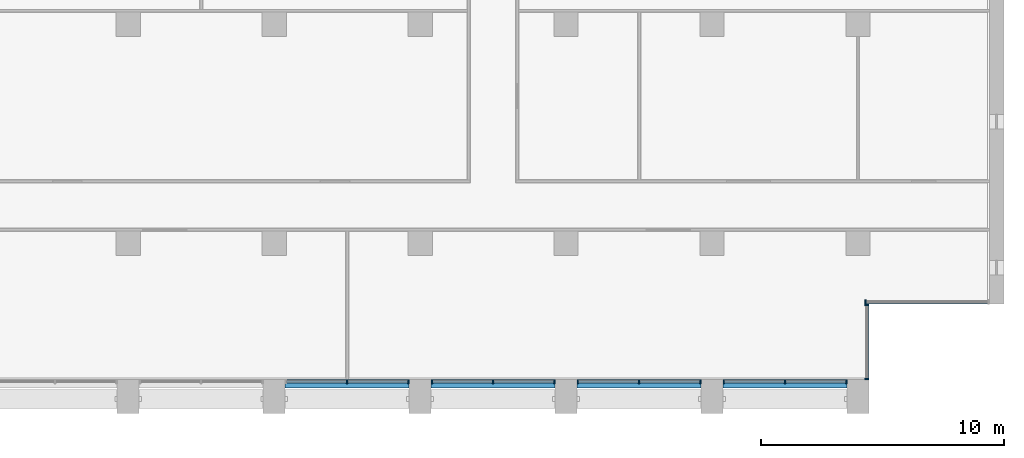
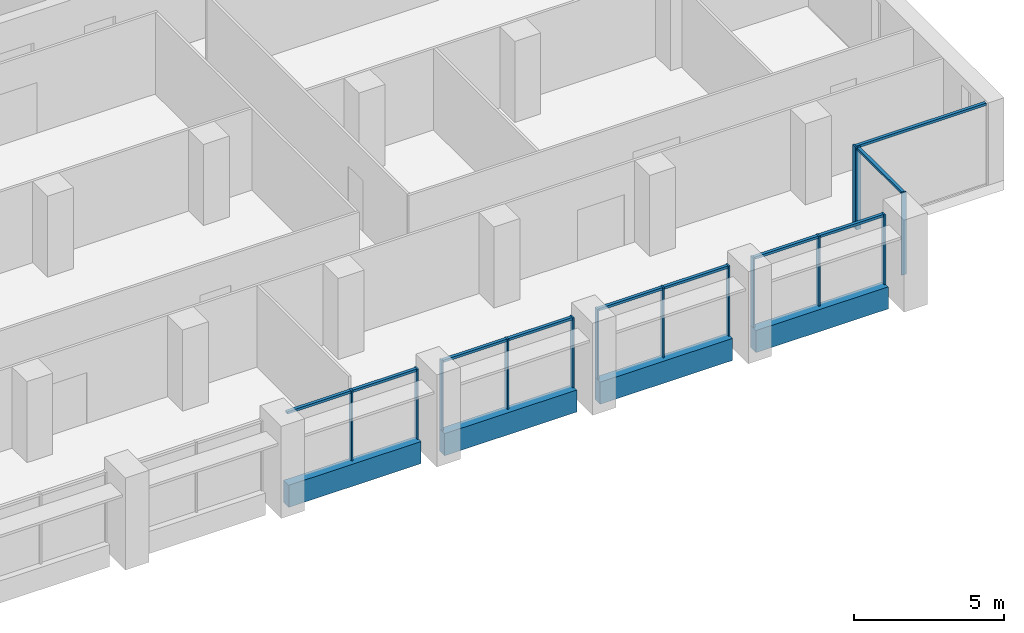
# One storey, part 3 of 17: 24 members, 4 beams, 6 elements without a shape of their own.
"""IFC4 building model written with IfcOpenShell, lengths in metres."""

from ifc_helpers import new_model, si_unit, direction, frame, origin, origin_2d, place, context, subcontext, project, spatial, rectangle, extrude, material, material_profile, profile_set, type_object, element, aggregate, save


model = new_model("IFC4")

# Units and contexts
model_context = context("Model", 3, precision=1e-05, world=origin(), true_north=direction((0.0, 1.0)))
body_context = subcontext(model_context, "Body", "Model", "MODEL_VIEW")
ifc_project = project(units=[si_unit("LENGTHUNIT", "METRE"), si_unit("AREAUNIT", "SQUARE_METRE"), si_unit("VOLUMEUNIT", "CUBIC_METRE"), si_unit("PLANEANGLEUNIT", "RADIAN"), si_unit("MASSUNIT", "GRAM", prefix="KILO")], contexts=[model_context])

# Site, building, storey
site_placement = place(None, origin())
site = spatial("IfcSite", under=ifc_project, at=site_placement, CompositionType="ELEMENT")
building_placement = place(site_placement, origin())
building = spatial("IfcBuilding", under=site, at=building_placement, Name="Calvaro Tower", CompositionType="ELEMENT")
storey_placement = place(building_placement, frame((0.0, 0.0, 219.25)))
storey = spatial("IfcBuildingStorey", under=building, at=storey_placement, Name="L55", CompositionType="ELEMENT", Elevation=219.25)

# Curtain wall, members
ifc_material_1 = material(Name="Anodised aluminium", Category="aluminium")
curtain_wall_type = type_object("IfcCurtainWallType", Name="Office curtain wall, upper zone", PredefinedType="NOTDEFINED", material=ifc_material_1)
curtain_wall_1_placement = place(storey_placement, origin())
curtain_wall_1 = element("IfcCurtainWall", 1, at=curtain_wall_1_placement, inside=storey, type_object=curtain_wall_type, Name="CW3 south curtain wall", PredefinedType="NOTDEFINED")
ifc_material_2 = material(Name="Anodised aluminium", Category="aluminium")
ifc_material_profile_1 = material_profile(ifc_material_2, rectangle(XDim=0.179931640625, YDim=0.06005859375, at=origin_2d()), Name="Mullion S3 60 x 180")
ifc_profile_set_1 = profile_set([ifc_material_profile_1], Name="Anodised aluminium")
member_type_1 = type_object("IfcMemberType", Name="Mullion S3 60 x 180", PredefinedType="MULLION", material=ifc_profile_set_1)
member_1_placement = place(storey_placement, frame((45.0, 4.31005859375, 0.0), z_axis=(0.0, 0.0, 1.0), x_axis=(0.0, 1.0, 0.0)))
member_1 = element("IfcMember", 2, at=member_1_placement, type_object=member_type_1, Name="CW3 mullion 2", PredefinedType="MULLION", context=body_context, shape_type="SweptSolid", body=[
    extrude(rectangle(XDim=0.179931640625, YDim=0.06005859375, at=origin_2d()), origin(), (0.0, 0.0, 1.0), 2.85009765625),
])
member_2_placement = place(storey_placement, frame((47.52001953125, 4.31005859375, 0.0), z_axis=(0.0, 0.0, 1.0), x_axis=(0.0, 1.0, 0.0)))
member_2 = element("IfcMember", 3, at=member_2_placement, type_object=member_type_1, Name="CW3 mullion 3", PredefinedType="MULLION", context=body_context, shape_type="SweptSolid", body=[
    extrude(rectangle(XDim=0.179931640625, YDim=0.06005859375, at=origin_2d()), origin(), (0.0, 0.0, 1.0), 2.85009765625),
])

curtain_wall_2_placement = place(storey_placement, origin())
curtain_wall_2 = element("IfcCurtainWall", 4, at=curtain_wall_2_placement, inside=storey, type_object=curtain_wall_type, Name="CW3 south curtain wall", PredefinedType="NOTDEFINED")
member_3_placement = place(storey_placement, frame((48.47998046875, 4.31005859375, 0.0), z_axis=(0.0, 0.0, 1.0), x_axis=(0.0, 1.0, 0.0)))
member_3 = element("IfcMember", 5, at=member_3_placement, type_object=member_type_1, Name="CW3 mullion 1", PredefinedType="MULLION", context=body_context, shape_type="SweptSolid", body=[
    extrude(rectangle(XDim=0.179931640625, YDim=0.06005859375, at=origin_2d()), origin(), (0.0, 0.0, 1.0), 2.85009765625),
])
member_4_placement = place(storey_placement, frame((51.0, 4.31005859375, 0.0), z_axis=(0.0, 0.0, 1.0), x_axis=(0.0, 1.0, 0.0)))
member_4 = element("IfcMember", 6, at=member_4_placement, type_object=member_type_1, Name="CW3 mullion 2", PredefinedType="MULLION", context=body_context, shape_type="SweptSolid", body=[
    extrude(rectangle(XDim=0.179931640625, YDim=0.06005859375, at=origin_2d()), origin(), (0.0, 0.0, 1.0), 2.85009765625),
])
member_5_placement = place(storey_placement, frame((53.52001953125, 4.31005859375, 0.0), z_axis=(0.0, 0.0, 1.0), x_axis=(0.0, 1.0, 0.0)))
member_5 = element("IfcMember", 7, at=member_5_placement, type_object=member_type_1, Name="CW3 mullion 3", PredefinedType="MULLION", context=body_context, shape_type="SweptSolid", body=[
    extrude(rectangle(XDim=0.179931640625, YDim=0.06005859375, at=origin_2d()), origin(), (0.0, 0.0, 1.0), 2.85009765625),
])

curtain_wall_3_placement = place(storey_placement, origin())
curtain_wall_3 = element("IfcCurtainWall", 8, at=curtain_wall_3_placement, inside=storey, type_object=curtain_wall_type, Name="CW3 south curtain wall", PredefinedType="NOTDEFINED")
member_6_placement = place(storey_placement, frame((54.47998046875, 4.31005859375, 0.0), z_axis=(0.0, 0.0, 1.0), x_axis=(0.0, 1.0, 0.0)))
member_6 = element("IfcMember", 9, at=member_6_placement, type_object=member_type_1, Name="CW3 mullion 1", PredefinedType="MULLION", context=body_context, shape_type="SweptSolid", body=[
    extrude(rectangle(XDim=0.179931640625, YDim=0.06005859375, at=origin_2d()), origin(), (0.0, 0.0, 1.0), 2.85009765625),
])
member_7_placement = place(storey_placement, frame((57.0, 4.31005859375, 0.0), z_axis=(0.0, 0.0, 1.0), x_axis=(0.0, 1.0, 0.0)))
member_7 = element("IfcMember", 10, at=member_7_placement, type_object=member_type_1, Name="CW3 mullion 2", PredefinedType="MULLION", context=body_context, shape_type="SweptSolid", body=[
    extrude(rectangle(XDim=0.179931640625, YDim=0.06005859375, at=origin_2d()), origin(), (0.0, 0.0, 1.0), 2.85009765625),
])
member_8_placement = place(storey_placement, frame((59.52001953125, 4.31005859375, 0.0), z_axis=(0.0, 0.0, 1.0), x_axis=(0.0, 1.0, 0.0)))
member_8 = element("IfcMember", 11, at=member_8_placement, type_object=member_type_1, Name="CW3 mullion 3", PredefinedType="MULLION", context=body_context, shape_type="SweptSolid", body=[
    extrude(rectangle(XDim=0.179931640625, YDim=0.06005859375, at=origin_2d()), origin(), (0.0, 0.0, 1.0), 2.85009765625),
])

curtain_wall_4_placement = place(storey_placement, origin())
curtain_wall_4 = element("IfcCurtainWall", 12, at=curtain_wall_4_placement, inside=storey, type_object=curtain_wall_type, Name="CW3 south curtain wall", PredefinedType="NOTDEFINED")
member_9_placement = place(storey_placement, frame((60.47998046875, 4.31005859375, 0.0), z_axis=(0.0, 0.0, 1.0), x_axis=(0.0, 1.0, 0.0)))
member_9 = element("IfcMember", 13, at=member_9_placement, type_object=member_type_1, Name="CW3 mullion 1", PredefinedType="MULLION", context=body_context, shape_type="SweptSolid", body=[
    extrude(rectangle(XDim=0.179931640625, YDim=0.06005859375, at=origin_2d()), origin(), (0.0, 0.0, 1.0), 2.85009765625),
])
member_10_placement = place(storey_placement, frame((63.0, 4.31005859375, 0.0), z_axis=(0.0, 0.0, 1.0), x_axis=(0.0, 1.0, 0.0)))
member_10 = element("IfcMember", 14, at=member_10_placement, type_object=member_type_1, Name="CW3 mullion 2", PredefinedType="MULLION", context=body_context, shape_type="SweptSolid", body=[
    extrude(rectangle(XDim=0.179931640625, YDim=0.06005859375, at=origin_2d()), origin(), (0.0, 0.0, 1.0), 2.85009765625),
])
member_11_placement = place(storey_placement, frame((65.52001953125, 4.31005859375, 0.0), z_axis=(0.0, 0.0, 1.0), x_axis=(0.0, 1.0, 0.0)))
member_11 = element("IfcMember", 15, at=member_11_placement, type_object=member_type_1, Name="CW3 mullion 3", PredefinedType="MULLION", context=body_context, shape_type="SweptSolid", body=[
    extrude(rectangle(XDim=0.179931640625, YDim=0.06005859375, at=origin_2d()), origin(), (0.0, 0.0, 1.0), 2.85009765625),
])

curtain_wall_5_placement = place(storey_placement, origin())
curtain_wall_5 = element("IfcCurtainWall", 16, at=curtain_wall_5_placement, inside=storey, type_object=curtain_wall_type, Name="CW3 corner curtain wall", PredefinedType="NOTDEFINED")
member_12_placement = place(storey_placement, frame((66.360107421875, 4.429931640625, 0.0), z_axis=(0.0, 0.0, 1.0), x_axis=(-1.0, 0.0, 0.0)))
member_12 = element("IfcMember", 17, at=member_12_placement, type_object=member_type_1, Name="CW3 mullion 1", PredefinedType="MULLION", context=body_context, shape_type="SweptSolid", body=[
    extrude(rectangle(XDim=0.179931640625, YDim=0.06005859375, at=origin_2d()), origin(), (0.0, 0.0, 1.0), 3.35009765625),
])
member_13_placement = place(storey_placement, frame((66.360107421875, 7.469970703125, 0.0), z_axis=(0.0, 0.0, 1.0), x_axis=(-1.0, 0.0, 0.0)))
member_13 = element("IfcMember", 18, at=member_13_placement, type_object=member_type_1, Name="CW3 mullion 2", PredefinedType="MULLION", context=body_context, shape_type="SweptSolid", body=[
    extrude(rectangle(XDim=0.179931640625, YDim=0.06005859375, at=origin_2d()), origin(), (0.0, 0.0, 1.0), 3.35009765625),
])

# Curtain wall, member
curtain_wall_6_placement = place(storey_placement, origin())
curtain_wall_6 = element("IfcCurtainWall", 19, at=curtain_wall_6_placement, inside=storey, type_object=curtain_wall_type, Name="CW3 corner curtain wall", PredefinedType="NOTDEFINED")
member_14_placement = place(storey_placement, frame((66.300048828125, 7.590087890625, 0.0), z_axis=(0.0, 0.0, 1.0), x_axis=(0.0, 1.0, 0.0)))
member_14 = element("IfcMember", 20, at=member_14_placement, type_object=member_type_1, Name="CW3 mullion 1", PredefinedType="MULLION", context=body_context, shape_type="SweptSolid", body=[
    extrude(rectangle(XDim=0.179931640625, YDim=0.06005859375, at=origin_2d()), origin(), (0.0, 0.0, 1.0), 3.35009765625),
])

# Beams
ifc_material_3 = material(Name="Concrete C50/60 precast", Category="concrete")
ifc_material_profile_2 = material_profile(ifc_material_3, rectangle(XDim=0.35009765625, YDim=0.89990234375, at=origin_2d()), Name="RC 350x900")
ifc_profile_set_2 = profile_set([ifc_material_profile_2], Name="Concrete C50/60 precast")
beam_type = type_object("IfcBeamType", Name="Spandrel beam 350x900 C50/60", PredefinedType="SPANDREL", material=ifc_profile_set_2)
for number, where, z_axis, x_axis, name in (
    (21, (42.449951171875, 4.22509765625, -0.449951171875), (1.0, 0.0, 0.0), (0.0, 1.0, 0.0), "Spandrel beam"),
    (22, (48.449951171875, 4.22509765625, -0.449951171875), (1.0, 0.0, 0.0), (0.0, 1.0, 0.0), "Spandrel beam"),
    (23, (54.449951171875, 4.22509765625, -0.449951171875), (1.0, 0.0, 0.0), (0.0, 1.0, 0.0), "Spandrel beam"),
    (24, (60.449951171875, 4.22509765625, -0.449951171875), (1.0, 0.0, 0.0), (0.0, 1.0, 0.0), "Spandrel beam"),
):
    element("IfcBeam", number, at=place(storey_placement, frame(where, z_axis=z_axis, x_axis=x_axis)), inside=storey, type_object=beam_type, Name=name, PredefinedType="SPANDREL", context=body_context, shape_type="SweptSolid", body=[
        extrude(rectangle(XDim=0.35009765625, YDim=0.89990234375, at=origin_2d()), origin(), (0.0, 0.0, 1.0), 5.10009765625),
    ])

# Member
ifc_material_4 = material(Name="Anodised aluminium", Category="aluminium")
ifc_material_profile_3 = material_profile(ifc_material_4, rectangle(XDim=0.1201171875, YDim=0.10009765625, at=origin_2d()), Name="Transom S3 100 x 120")
ifc_profile_set_3 = profile_set([ifc_material_profile_3], Name="Anodised aluminium")
member_type_2 = type_object("IfcMemberType", Name="Transom S3 100 x 120", PredefinedType="USERDEFINED", material=ifc_profile_set_3)
member_15_placement = place(storey_placement, frame((42.510009765625, 4.31005859375, 2.800048828125), z_axis=(1.0, 0.0, 0.0), x_axis=(0.0, 1.0, 0.0)))
member_15 = element("IfcMember", 25, at=member_15_placement, type_object=member_type_2, Name="CW3 transom 1.1", ObjectType="TRANSOM", PredefinedType="USERDEFINED", context=body_context, shape_type="SweptSolid", body=[
    extrude(rectangle(XDim=0.1201171875, YDim=0.10009765625, at=origin_2d()), origin(), (0.0, 0.0, 1.0), 2.4599609375),
])

member_16_placement = place(storey_placement, frame((45.030029296875, 4.31005859375, 2.800048828125), z_axis=(1.0, 0.0, 0.0), x_axis=(0.0, 1.0, 0.0)))
member_16 = element("IfcMember", 26, at=member_16_placement, type_object=member_type_2, Name="CW3 transom 2.1", ObjectType="TRANSOM", PredefinedType="USERDEFINED", context=body_context, shape_type="SweptSolid", body=[
    extrude(rectangle(XDim=0.1201171875, YDim=0.10009765625, at=origin_2d()), origin(), (0.0, 0.0, 1.0), 2.4599609375),
])

aggregate(curtain_wall_1, [member_1, member_2, member_15, member_16])

member_17_placement = place(storey_placement, frame((48.510009765625, 4.31005859375, 2.800048828125), z_axis=(1.0, 0.0, 0.0), x_axis=(0.0, 1.0, 0.0)))
member_17 = element("IfcMember", 27, at=member_17_placement, type_object=member_type_2, Name="CW3 transom 1.1", ObjectType="TRANSOM", PredefinedType="USERDEFINED", context=body_context, shape_type="SweptSolid", body=[
    extrude(rectangle(XDim=0.1201171875, YDim=0.10009765625, at=origin_2d()), origin(), (0.0, 0.0, 1.0), 2.4599609375),
])

member_18_placement = place(storey_placement, frame((51.030029296875, 4.31005859375, 2.800048828125), z_axis=(1.0, 0.0, 0.0), x_axis=(0.0, 1.0, 0.0)))
member_18 = element("IfcMember", 28, at=member_18_placement, type_object=member_type_2, Name="CW3 transom 2.1", ObjectType="TRANSOM", PredefinedType="USERDEFINED", context=body_context, shape_type="SweptSolid", body=[
    extrude(rectangle(XDim=0.1201171875, YDim=0.10009765625, at=origin_2d()), origin(), (0.0, 0.0, 1.0), 2.4599609375),
])

aggregate(curtain_wall_2, [member_3, member_4, member_5, member_17, member_18])

member_19_placement = place(storey_placement, frame((54.510009765625, 4.31005859375, 2.800048828125), z_axis=(1.0, 0.0, 0.0), x_axis=(0.0, 1.0, 0.0)))
member_19 = element("IfcMember", 29, at=member_19_placement, type_object=member_type_2, Name="CW3 transom 1.1", ObjectType="TRANSOM", PredefinedType="USERDEFINED", context=body_context, shape_type="SweptSolid", body=[
    extrude(rectangle(XDim=0.1201171875, YDim=0.10009765625, at=origin_2d()), origin(), (0.0, 0.0, 1.0), 2.4599609375),
])

member_20_placement = place(storey_placement, frame((57.030029296875, 4.31005859375, 2.800048828125), z_axis=(1.0, 0.0, 0.0), x_axis=(0.0, 1.0, 0.0)))
member_20 = element("IfcMember", 30, at=member_20_placement, type_object=member_type_2, Name="CW3 transom 2.1", ObjectType="TRANSOM", PredefinedType="USERDEFINED", context=body_context, shape_type="SweptSolid", body=[
    extrude(rectangle(XDim=0.1201171875, YDim=0.10009765625, at=origin_2d()), origin(), (0.0, 0.0, 1.0), 2.4599609375),
])

aggregate(curtain_wall_3, [member_6, member_7, member_8, member_19, member_20])

member_21_placement = place(storey_placement, frame((60.510009765625, 4.31005859375, 2.800048828125), z_axis=(1.0, 0.0, 0.0), x_axis=(0.0, 1.0, 0.0)))
member_21 = element("IfcMember", 31, at=member_21_placement, type_object=member_type_2, Name="CW3 transom 1.1", ObjectType="TRANSOM", PredefinedType="USERDEFINED", context=body_context, shape_type="SweptSolid", body=[
    extrude(rectangle(XDim=0.1201171875, YDim=0.10009765625, at=origin_2d()), origin(), (0.0, 0.0, 1.0), 2.4599609375),
])

member_22_placement = place(storey_placement, frame((63.030029296875, 4.31005859375, 2.800048828125), z_axis=(1.0, 0.0, 0.0), x_axis=(0.0, 1.0, 0.0)))
member_22 = element("IfcMember", 32, at=member_22_placement, type_object=member_type_2, Name="CW3 transom 2.1", ObjectType="TRANSOM", PredefinedType="USERDEFINED", context=body_context, shape_type="SweptSolid", body=[
    extrude(rectangle(XDim=0.1201171875, YDim=0.10009765625, at=origin_2d()), origin(), (0.0, 0.0, 1.0), 2.4599609375),
])

aggregate(curtain_wall_4, [member_9, member_10, member_11, member_21, member_22])

member_23_placement = place(storey_placement, frame((66.360107421875, 4.4599609375, 3.300048828125), z_axis=(0.0, 1.0, 0.0), x_axis=(-1.0, 0.0, 0.0)))
member_23 = element("IfcMember", 33, at=member_23_placement, type_object=member_type_2, Name="CW3 transom 1.1", ObjectType="TRANSOM", PredefinedType="USERDEFINED", context=body_context, shape_type="SweptSolid", body=[
    extrude(rectangle(XDim=0.1201171875, YDim=0.10009765625, at=origin_2d()), origin(), (0.0, 0.0, 1.0), 2.97998046875),
])

aggregate(curtain_wall_5, [member_12, member_13, member_23])

member_24_placement = place(storey_placement, frame((66.330078125, 7.590087890625, 3.300048828125), z_axis=(1.0, 0.0, 0.0), x_axis=(0.0, 1.0, 0.0)))
member_24 = element("IfcMember", 34, at=member_24_placement, type_object=member_type_2, Name="CW3 transom 1.1", ObjectType="TRANSOM", PredefinedType="USERDEFINED", context=body_context, shape_type="SweptSolid", body=[
    extrude(rectangle(XDim=0.1201171875, YDim=0.10009765625, at=origin_2d()), origin(), (0.0, 0.0, 1.0), 5.010009765625),
])

aggregate(curtain_wall_6, [member_14, member_24])

save(model, "model.ifc")
